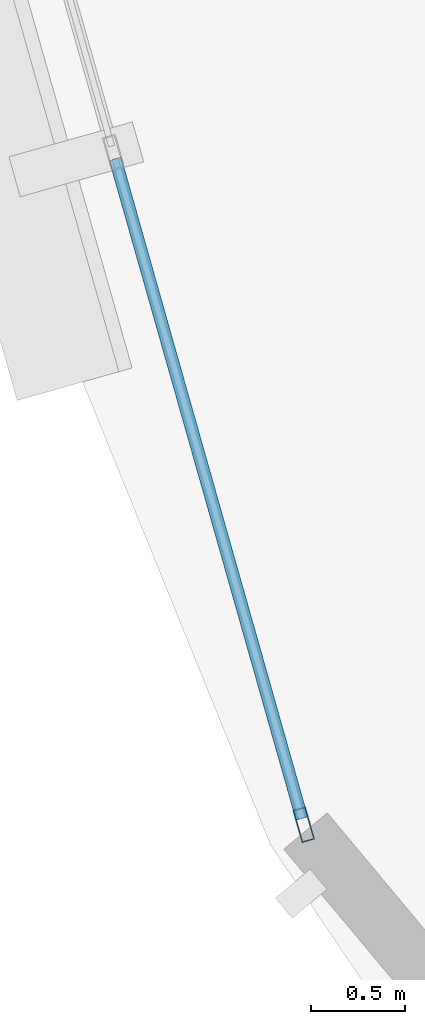
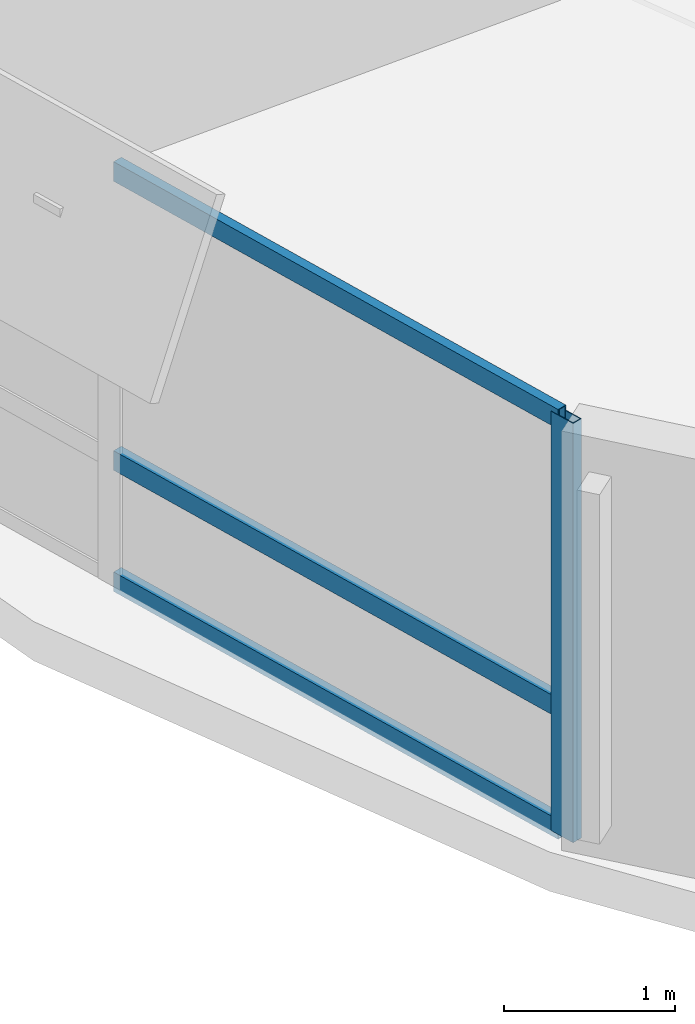
# One storey, part 2 of 16: 4 members, 1 element without a shape of its own.
"""IFC4 building model written with IfcOpenShell, lengths in metres."""

from ifc_helpers import new_model, si_unit, direction, frame, origin, origin_2d, place, context, subcontext, project, spatial, hollow_rectangle, extrude, material, layer, layer_set, material_profile, profile_set, type_object, element, aggregate, save


model = new_model("IFC4")

# Units and contexts
model_context = context("Model", 3, precision=1e-05, world=origin(), true_north=direction((0.0, 1.0)))
body_context = subcontext(model_context, "Body", "Model", "MODEL_VIEW")
ifc_project = project(units=[si_unit("LENGTHUNIT", "METRE"), si_unit("AREAUNIT", "SQUARE_METRE"), si_unit("VOLUMEUNIT", "CUBIC_METRE"), si_unit("PLANEANGLEUNIT", "RADIAN"), si_unit("MASSUNIT", "GRAM", prefix="KILO"), si_unit("THERMODYNAMICTEMPERATUREUNIT", "KELVIN"), si_unit("POWERUNIT", "WATT")], contexts=[model_context])

# Site, building, storey
site_placement = place(None, origin())
site = spatial("IfcSite", under=ifc_project, at=site_placement, CompositionType="ELEMENT")
building_placement = place(site_placement, origin())
building = spatial("IfcBuilding", under=site, at=building_placement, Name="Ocrelia Relay Tower", CompositionType="ELEMENT")
storey_placement = place(building_placement, frame((0.0, 0.0, 42.60009765625)))
storey = spatial("IfcBuildingStorey", under=building, at=storey_placement, Name="L09", CompositionType="ELEMENT", Elevation=42.60009765625)

# Curtain wall, members
ifc_material_1 = material(Name="Aluminium and solar-control low-E glass", Category="aluminium")
ifc_layer = layer(ifc_material_1, 0.179931640625, Name="Aluminium and solar-control low-E glass")
ifc_layer_set = layer_set([ifc_layer], Name="Aluminium and solar-control low-E glass")
curtain_wall_type = type_object("IfcCurtainWallType", Name="CW-SYS-Z1-DATA", PredefinedType="NOTDEFINED", material=ifc_layer_set)
curtain_wall_placement = place(storey_placement, origin())
curtain_wall = element("IfcCurtainWall", 1, at=curtain_wall_placement, inside=storey, type_object=curtain_wall_type, Name="L09 Elliptical Tower Curtain Wall Bay 10", PredefinedType="NOTDEFINED")
ifc_material_2 = material(Name="Anodised bronze aluminium", Category="aluminium")
ifc_material_profile_1 = material_profile(ifc_material_2, hollow_rectangle(XDim=0.070068359375, YDim=0.179931640625, WallThickness=0.006103515625, at=origin_2d()), Name="CW-MUL-180x70")
ifc_profile_set_1 = profile_set([ifc_material_profile_1], Name="Anodised bronze aluminium")
member_type_1 = type_object("IfcMemberType", Name="CW-SYS-Z1-DATA-MUL", PredefinedType="MULLION", material=ifc_profile_set_1)
member_1_placement = place(storey_placement, frame((8.261474609375, 17.458740234375, 0.0), z_axis=(0.0, 0.0, 1.0), x_axis=(0.962168934326, 0.27245355901, 0.0)))
member_1 = element("IfcMember", 2, at=member_1_placement, type_object=member_type_1, Name="CW-Z1 mullion 3", PredefinedType="MULLION", context=body_context, shape_type="SweptSolid", body=[
    extrude(hollow_rectangle(XDim=0.070068359375, YDim=0.179931640625, WallThickness=0.006103515625, at=origin_2d()), origin(), (0.0, 0.0, 1.0), 3.0),
])
ifc_material_profile_2 = material_profile(ifc_material_2, hollow_rectangle(XDim=0.06494140625, YDim=0.139892578125, WallThickness=0.0048828125, at=origin_2d()), Name="CW-TRN-140x65")
ifc_profile_set_2 = profile_set([ifc_material_profile_2], Name="Anodised bronze aluminium")
member_type_2 = type_object("IfcMemberType", Name="CW-SYS-Z1-DATA-TRN", PredefinedType="USERDEFINED", material=ifc_profile_set_2)
member_2_placement = place(storey_placement, frame((7.26220703125, 20.98779296875, 0.032470703125), z_axis=(0.272448079223, -0.962170485999, 0.0), x_axis=(0.962170485999, 0.272448079223, 0.0)))
member_2 = element("IfcMember", 3, at=member_2_placement, type_object=member_type_2, Name="CW-Z1 transom 2.1", ObjectType="TRANSOM", PredefinedType="USERDEFINED", context=body_context, shape_type="SweptSolid", body=[
    extrude(hollow_rectangle(XDim=0.06494140625, YDim=0.139892578125, WallThickness=0.0048828125, at=origin_2d()), origin(), (0.0, 0.0, 1.0), 3.6328125),
])
member_3_placement = place(storey_placement, frame((7.26220703125, 20.98779296875, 0.89990234375), z_axis=(0.272448079223, -0.962170485999, 0.0), x_axis=(0.962170485999, 0.272448079223, 0.0)))
member_3 = element("IfcMember", 4, at=member_3_placement, type_object=member_type_2, Name="CW-Z1 transom 2.2", ObjectType="TRANSOM", PredefinedType="USERDEFINED", context=body_context, shape_type="SweptSolid", body=[
    extrude(hollow_rectangle(XDim=0.06494140625, YDim=0.139892578125, WallThickness=0.0048828125, at=origin_2d()), origin(), (0.0, 0.0, 1.0), 3.6328125),
])
member_4_placement = place(storey_placement, frame((7.26220703125, 20.98779296875, 2.96728515625), z_axis=(0.272448079223, -0.962170485999, 0.0), x_axis=(0.962170485999, 0.272448079223, 0.0)))
member_4 = element("IfcMember", 5, at=member_4_placement, type_object=member_type_2, Name="CW-Z1 transom 2.3", ObjectType="TRANSOM", PredefinedType="USERDEFINED", context=body_context, shape_type="SweptSolid", body=[
    extrude(hollow_rectangle(XDim=0.06494140625, YDim=0.139892578125, WallThickness=0.0048828125, at=origin_2d()), origin(), (0.0, 0.0, 1.0), 3.6328125),
])
aggregate(curtain_wall, [member_1, member_2, member_3, member_4])

save(model, "model.ifc")
